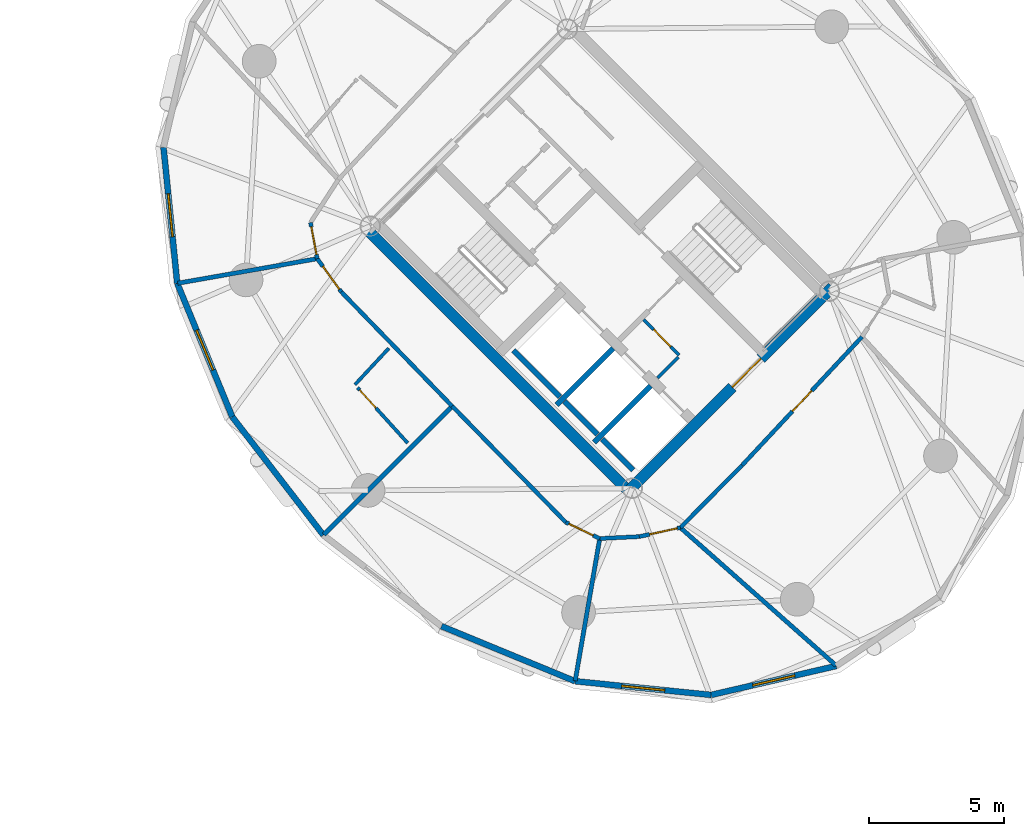
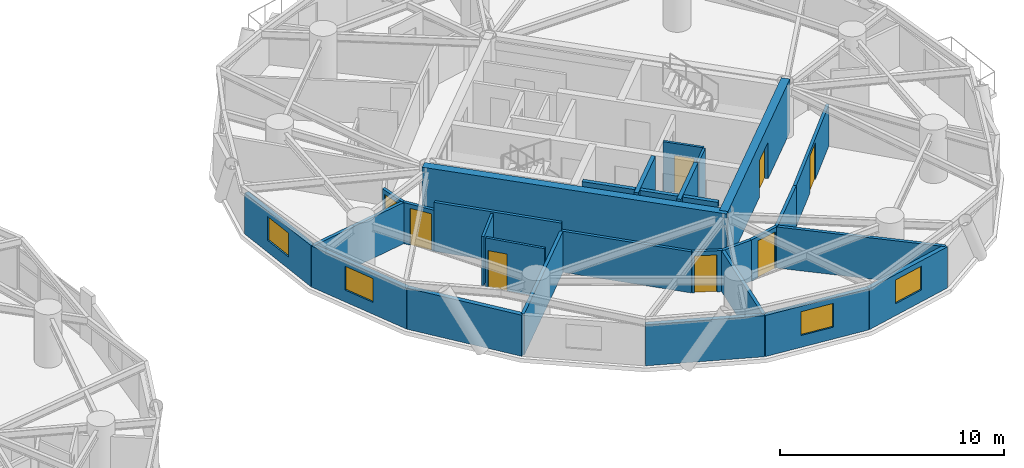
# One storey, part 11 of 17: 30 walls, 8 doors, 4 windows, 12 openings.
"""IFC4 building model written with IfcOpenShell, lengths in metres."""

from ifc_helpers import new_model, si_unit, direction, frame, frame_2d, origin, place, context, subcontext, project, spatial, rectangle, extrude, source, transform, mapped, material, layer, layer_set, type_object, element, fill, save


model = new_model("IFC4")

# Units and contexts
model_context = context("Model", 3, precision=1e-05, world=origin(), true_north=direction((0.0, 1.0)))
body_context = subcontext(model_context, "Body", "Model", "MODEL_VIEW")
ifc_project = project(units=[si_unit("LENGTHUNIT", "METRE"), si_unit("AREAUNIT", "SQUARE_METRE"), si_unit("VOLUMEUNIT", "CUBIC_METRE"), si_unit("PLANEANGLEUNIT", "RADIAN"), si_unit("MASSUNIT", "GRAM", prefix="KILO")], contexts=[model_context])

# Site, building, storey
site_placement = place(None, origin())
site = spatial("IfcSite", under=ifc_project, at=site_placement, CompositionType="ELEMENT")
building_placement = place(site_placement, origin())
building = spatial("IfcBuilding", under=site, at=building_placement, Name="Cununo Teusaquillo Station Towers", CompositionType="ELEMENT")
storey_placement = place(building_placement, frame((0.0, 0.0, 154.510009765625)))
storey = spatial("IfcBuildingStorey", under=building, at=storey_placement, Name="L48", CompositionType="ELEMENT", Elevation=154.510009765625)

# Walls
ifc_material_1 = material(Name="Concrete C50/60", Category="concrete")
ifc_layer_1 = layer(ifc_material_1, 0.199951171875)
ifc_layer_set_1 = layer_set([ifc_layer_1], Name="Concrete C50/60")
wall_type_1 = type_object("IfcWallType", Name="WL-CORE-200", PredefinedType="SHEAR", material=ifc_layer_set_1)
wall_1_placement = place(storey_placement, frame((55.8876953125, 19.0693359375, 0.0), z_axis=(0.0, 0.0, 1.0), x_axis=(0.707106781187, 0.707106781187, 0.0)))
element("IfcWall", 1, at=wall_1_placement, inside=storey, type_object=wall_type_1, Name="L48 Tower B Firefighting Lift Shaft South Shear Wall", PredefinedType="SHEAR", context=body_context, shape_type="SweptSolid", body=[
    extrude(rectangle(XDim=2.969970703125, YDim=0.199951171875, at=frame_2d((1.48486328125, 0.0))), origin(), (0.0, 0.0, 1.0), 2.909912109375),
])
wall_2_placement = place(storey_placement, frame((56.01513671875, 19.366455078125, 0.0), z_axis=(0.0, 0.0, 1.0), x_axis=(-0.707106781187, 0.707106781187, 0.0)))
element("IfcWall", 2, at=wall_2_placement, inside=storey, type_object=wall_type_1, Name="L48 Tower B Firefighting Lift Shaft Rear Shear Wall", PredefinedType="SHEAR", context=body_context, shape_type="SweptSolid", body=[
    extrude(rectangle(XDim=2.43994140625, YDim=0.199951171875, at=frame_2d((1.219970703125, 0.0))), origin(), (0.0, 0.0, 1.0), 2.909912109375),
])
wall_3_placement = place(storey_placement, frame((57.2841796875, 17.6728515625, 0.0), z_axis=(0.0, 0.0, 1.0), x_axis=(0.707147878904, 0.70706568108, 0.0)))
element("IfcWall", 3, at=wall_3_placement, inside=storey, type_object=wall_type_1, Name="L48 Tower B High-Rise Lift Hoistway Divider Shear Wall", PredefinedType="SHEAR", context=body_context, shape_type="SweptSolid", body=[
    extrude(rectangle(XDim=2.97021484375, YDim=0.199951171875, at=frame_2d((1.485107421875, 0.0))), origin(), (0.0, 0.0, 1.0), 2.909912109375),
])
wall_4_placement = place(storey_placement, frame((57.41162109375, 17.969970703125, 0.0), z_axis=(0.0, 0.0, 1.0), x_axis=(-0.707106781187, 0.707106781187, 0.0)))
element("IfcWall", 4, at=wall_4_placement, inside=storey, type_object=wall_type_1, Name="L48 Tower B High-Rise Lift 2 Shaft Rear Shear Wall", PredefinedType="SHEAR", context=body_context, shape_type="SweptSolid", body=[
    extrude(rectangle(XDim=1.73486328125, YDim=0.199951171875, at=frame_2d((0.867431640625, 0.0))), origin(), (0.0, 0.0, 1.0), 2.909912109375),
])
wall_5_placement = place(storey_placement, frame((58.7373046875, 16.64404296875, 0.0), z_axis=(0.0, 0.0, 1.0), x_axis=(-0.707032117043, 0.707181437447, 0.0)))
element("IfcWall", 5, at=wall_5_placement, inside=storey, type_object=wall_type_1, Name="L48 Tower B High-Rise Lift 1 Shaft Rear Shear Wall", PredefinedType="SHEAR", context=body_context, shape_type="SweptSolid", body=[
    extrude(rectangle(XDim=1.635009765625, YDim=0.199951171875, at=frame_2d((0.8173828125, 0.0))), origin(), (0.0, 0.0, 1.0), 2.909912109375),
])
ifc_material_2 = material(Name="Concrete C50/60", Category="concrete")
ifc_layer_2 = layer(ifc_material_2, 0.39990234375)
ifc_layer_set_2 = layer_set([ifc_layer_2], Name="Concrete C50/60")
wall_type_2 = type_object("IfcWallType", Name="WL-CORE-400", PredefinedType="SHEAR", material=ifc_layer_set_2)
wall_6_placement = place(storey_placement, frame((58.7021484375, 15.73193359375, 0.0), z_axis=(0.0, 0.0, 1.0), x_axis=(-0.707106781187, 0.707106781187, 0.0)))
element("IfcWall", 6, at=wall_6_placement, inside=storey, type_object=wall_type_2, Name="L48 Tower B Core Shear Wall W", PredefinedType="SHEAR", context=body_context, shape_type="SweptSolid", body=[
    extrude(rectangle(XDim=14.10009765625, YDim=0.39990234375, at=frame_2d((7.050048828125, 0.0))), origin(), (0.0, 0.0, 1.0), 2.909912109375),
])

# Wall, opening, door
wall_7_placement = place(storey_placement, frame((58.560791015625, 15.873291015625, 0.0), z_axis=(0.0, 0.0, 1.0), x_axis=(0.707106781187, 0.707106781187, 0.0)))
wall_7 = element("IfcWall", 7, at=wall_7_placement, inside=storey, type_object=wall_type_2, Name="L48 Tower B Core Shear Wall S", PredefinedType="SHEAR", context=body_context, shape_type="SweptSolid", body=[
    extrude(rectangle(XDim=10.69970703125, YDim=0.39990234375, at=frame_2d((5.349853515625, 0.0))), origin(), (0.0, 0.0, 1.0), 2.909912109375),
])
shared_shape_1 = source(origin(), body_context, "Body", "SweptSolid", [
    extrude(rectangle(XDim=1.5, YDim=2.02001953125, at=frame_2d((0.75, 1.010009765625))), frame((0.0, 0.2099609375, 0.0), z_axis=(0.0, -1.0, 0.0), x_axis=(1.0, 0.0, 0.0)), (0.0, 0.0, 1.0), 0.419921875),
])
opening_1_placement = place(wall_7_placement, frame((5.449951171875, 0.0, 0.0)))
opening_1 = element("IfcOpeningElement", 8, at=opening_1_placement, cuts=wall_7, Name="Opening D-LB1", PredefinedType="OPENING", context=body_context, shape_type="MappedRepresentation", body=[
    mapped(shared_shape_1, transform((0.0, 0.0, 0.0), x_axis=(1.0, 0.0, 0.0), y_axis=(0.0, 1.0, 0.0), z_axis=(0.0, 0.0, 1.0), scale=1.0)),
])
ifc_material_3 = material(Name="Galvanised fire-rated hollow steel door assembly", Category="steel")
door_type_1 = type_object("IfcDoorType", Name="DR-LOBBY-1500", OperationType="DOUBLE_DOOR_SINGLE_SWING", PredefinedType="DOOR", material=ifc_material_3)
shared_shape_2 = source(origin(), body_context, "Body", "SweptSolid", [
    extrude(rectangle(XDim=1.5, YDim=2.02001953125, at=frame_2d((0.75, 1.010009765625))), frame((0.0, 0.02490234375, 0.0), z_axis=(0.0, -1.0, 0.0), x_axis=(1.0, 0.0, 0.0)), (0.0, 0.0, 1.0), 0.050048828125),
])
door_1_placement = place(opening_1_placement, origin())
door_1 = element("IfcDoor", 9, at=door_1_placement, inside=storey, type_object=door_type_1, Name="L48 Tower B South Core Lift Lobby Door", OperationType="DOUBLE_DOOR_SINGLE_SWING", OverallHeight=2.02001953125, OverallWidth=1.5, PredefinedType="DOOR", context=body_context, shape_type="MappedRepresentation", body=[
    mapped(shared_shape_2, transform((0.0, 0.0, 0.0), x_axis=(1.0, 0.0, 0.0), y_axis=(0.0, 1.0, 0.0), z_axis=(0.0, 0.0, 1.0), scale=1.0)),
])
fill(opening_1, door_1)

# Wall, opening, window
ifc_material_4 = material(Name="Precast concrete C40/50", Category="concrete")
ifc_layer_3 = layer(ifc_material_4, 0.219970703125)
ifc_layer_set_3 = layer_set([ifc_layer_3], Name="Precast concrete C40/50")
wall_type_3 = type_object("IfcWallType", Name="WL-EXT-220", PredefinedType="SOLIDWALL", material=ifc_layer_set_3)
wall_8_placement = place(storey_placement, frame((41.810791015625, 23.582275390625, 0.0), z_axis=(0.0, 0.0, 1.0), x_axis=(-0.100279889424, 0.994959267396, 0.0)))
wall_8 = element("IfcWall", 10, at=wall_8_placement, inside=storey, type_object=wall_type_3, Name="L48 Tower B Exterior Facade Wall C07", PredefinedType="SOLIDWALL", context=body_context, shape_type="SweptSolid", body=[
    extrude(rectangle(XDim=5.076171875, YDim=0.219970703125, at=frame_2d((2.5380859375, 0.0))), origin(), (0.0, 0.0, 1.0), 2.244873046875),
])
shared_shape_3 = source(origin(), body_context, "Body", "SweptSolid", [
    extrude(rectangle(XDim=1.60009765625, YDim=1.300048828125, at=frame_2d((0.800048828125, 0.64990234375))), frame((0.0, 0.119873046875, 0.0), z_axis=(0.0, -1.0, 0.0), x_axis=(1.0, 0.0, 0.0)), (0.0, 0.0, 1.0), 0.239990234375),
])
opening_2_placement = place(wall_8_placement, frame((1.738037109375, 0.0, 0.64990234375)))
opening_2 = element("IfcOpeningElement", 11, at=opening_2_placement, cuts=wall_8, Name="Opening WN-03", PredefinedType="OPENING", context=body_context, shape_type="MappedRepresentation", body=[
    mapped(shared_shape_3, transform((0.0, 0.0, 0.0), x_axis=(1.0, 0.0, 0.0), y_axis=(0.0, 1.0, 0.0), z_axis=(0.0, 0.0, 1.0), scale=1.0)),
])
ifc_material_5 = material(Name="Ceramic-fritted dark low-E double glazing", Category="glass")
window_type = type_object("IfcWindowType", Name="WIN-CORN-1600", PartitioningType="SINGLE_PANEL", PredefinedType="WINDOW", material=ifc_material_5)
shared_shape_4 = source(origin(), body_context, "Body", "SweptSolid", [
    extrude(rectangle(XDim=1.60009765625, YDim=1.300048828125, at=frame_2d((0.800048828125, 0.64990234375))), frame((0.0, 0.030029296875, 0.0), z_axis=(0.0, -1.0, 0.0), x_axis=(1.0, 0.0, 0.0)), (0.0, 0.0, 1.0), 0.06005859375),
])
window_1_placement = place(opening_2_placement, origin())
window_1 = element("IfcWindow", 12, at=window_1_placement, inside=storey, type_object=window_type, Name="L48 Tower B Facade Window C07", OverallHeight=1.300048828125, OverallWidth=1.60009765625, PartitioningType="SINGLE_PANEL", PredefinedType="WINDOW", context=body_context, shape_type="MappedRepresentation", body=[
    mapped(shared_shape_4, transform((0.0, 0.0, 0.0), x_axis=(1.0, 0.0, 0.0), y_axis=(0.0, 1.0, 0.0), z_axis=(0.0, 0.0, 1.0), scale=1.0)),
])
fill(opening_2, window_1)

wall_9_placement = place(storey_placement, frame((43.855712890625, 18.62158203125, 0.0), z_axis=(0.0, 0.0, 1.0), x_axis=(-0.38111364655, 0.924528197738, 0.0)))
wall_9 = element("IfcWall", 13, at=wall_9_placement, inside=storey, type_object=wall_type_3, Name="L48 Tower B Exterior Facade Wall C08", PredefinedType="SOLIDWALL", context=body_context, shape_type="SweptSolid", body=[
    extrude(rectangle(XDim=5.36572265625, YDim=0.219970703125, at=frame_2d((2.682861328125, 0.0))), origin(), (0.0, 0.0, 1.0), 2.244873046875),
])
opening_3_placement = place(wall_9_placement, frame((1.883056640625, 0.0, 0.64990234375)))
opening_3 = element("IfcOpeningElement", 14, at=opening_3_placement, cuts=wall_9, Name="Opening WN-03", PredefinedType="OPENING", context=body_context, shape_type="MappedRepresentation", body=[
    mapped(shared_shape_3, transform((0.0, 0.0, 0.0), x_axis=(1.0, 0.0, 0.0), y_axis=(0.0, 1.0, 0.0), z_axis=(0.0, 0.0, 1.0), scale=1.0)),
])
window_2_placement = place(opening_3_placement, origin())
window_2 = element("IfcWindow", 15, at=window_2_placement, inside=storey, type_object=window_type, Name="L48 Tower B Facade Window C08", OverallHeight=1.300048828125, OverallWidth=1.60009765625, PartitioningType="SINGLE_PANEL", PredefinedType="WINDOW", context=body_context, shape_type="MappedRepresentation", body=[
    mapped(shared_shape_4, transform((0.0, 0.0, 0.0), x_axis=(1.0, 0.0, 0.0), y_axis=(0.0, 1.0, 0.0), z_axis=(0.0, 0.0, 1.0), scale=1.0)),
])
fill(opening_3, window_2)

# Walls
wall_10_placement = place(storey_placement, frame((47.236328125, 14.236328125, 0.0), z_axis=(0.0, 0.0, 1.0), x_axis=(-0.610543584779, 0.791982658323, 0.0)))
element("IfcWall", 16, at=wall_10_placement, inside=storey, type_object=wall_type_3, Name="L48 Tower B Exterior Facade Wall C09", PredefinedType="SOLIDWALL", context=body_context, shape_type="SweptSolid", body=[
    extrude(rectangle(XDim=5.537109375, YDim=0.219970703125, at=frame_2d((2.7685546875, 0.0))), origin(), (0.0, 0.0, 1.0), 2.244873046875),
])
wall_11_placement = place(storey_placement, frame((56.582275390625, 8.810791015625, 0.0), z_axis=(0.0, 0.0, 1.0), x_axis=(-0.924528197738, 0.38111364655, 0.0)))
element("IfcWall", 17, at=wall_11_placement, inside=storey, type_object=wall_type_3, Name="L48 Tower B Exterior Facade Wall C11", PredefinedType="SOLIDWALL", context=body_context, shape_type="SweptSolid", body=[
    extrude(rectangle(XDim=5.36572265625, YDim=0.219970703125, at=frame_2d((2.682861328125, 0.0))), origin(), (0.0, 0.0, 1.0), 2.244873046875),
])

# Wall, opening, window
wall_12_placement = place(storey_placement, frame((61.6328125, 8.3017578125, 0.0), z_axis=(0.0, 0.0, 1.0), x_axis=(-0.994959267396, 0.100279889424, 0.0)))
wall_12 = element("IfcWall", 18, at=wall_12_placement, inside=storey, type_object=wall_type_3, Name="L48 Tower B Exterior Facade Wall C12", PredefinedType="SOLIDWALL", context=body_context, shape_type="SweptSolid", body=[
    extrude(rectangle(XDim=5.076171875, YDim=0.219970703125, at=frame_2d((2.5380859375, 0.0))), origin(), (0.0, 0.0, 1.0), 2.244873046875),
])
opening_4_placement = place(wall_12_placement, frame((1.738037109375, 0.0, 0.64990234375)))
opening_4 = element("IfcOpeningElement", 19, at=opening_4_placement, cuts=wall_12, Name="Opening WN-03", PredefinedType="OPENING", context=body_context, shape_type="MappedRepresentation", body=[
    mapped(shared_shape_3, transform((0.0, 0.0, 0.0), x_axis=(1.0, 0.0, 0.0), y_axis=(0.0, 1.0, 0.0), z_axis=(0.0, 0.0, 1.0), scale=1.0)),
])
window_3_placement = place(opening_4_placement, origin())
window_3 = element("IfcWindow", 20, at=window_3_placement, inside=storey, type_object=window_type, Name="L48 Tower B Facade Window C12", OverallHeight=1.300048828125, OverallWidth=1.60009765625, PartitioningType="SINGLE_PANEL", PredefinedType="WINDOW", context=body_context, shape_type="MappedRepresentation", body=[
    mapped(shared_shape_4, transform((0.0, 0.0, 0.0), x_axis=(1.0, 0.0, 0.0), y_axis=(0.0, 1.0, 0.0), z_axis=(0.0, 0.0, 1.0), scale=1.0)),
])
fill(opening_4, window_3)

wall_13_placement = place(storey_placement, frame((66.27880859375, 9.3779296875, 0.0), z_axis=(0.0, 0.0, 1.0), x_axis=(-0.974206226622, -0.225659540039, 0.0)))
wall_13 = element("IfcWall", 21, at=wall_13_placement, inside=storey, type_object=wall_type_3, Name="L48 Tower B Exterior Facade Wall C13", PredefinedType="SOLIDWALL", context=body_context, shape_type="SweptSolid", body=[
    extrude(rectangle(XDim=4.76904296875, YDim=0.219970703125, at=frame_2d((2.384521484375, 0.0))), origin(), (0.0, 0.0, 1.0), 2.244873046875),
])
opening_5_placement = place(wall_13_placement, frame((1.5849609375, 0.0, 0.64990234375)))
opening_5 = element("IfcOpeningElement", 22, at=opening_5_placement, cuts=wall_13, Name="Opening WN-03", PredefinedType="OPENING", context=body_context, shape_type="MappedRepresentation", body=[
    mapped(shared_shape_3, transform((0.0, 0.0, 0.0), x_axis=(1.0, 0.0, 0.0), y_axis=(0.0, 1.0, 0.0), z_axis=(0.0, 0.0, 1.0), scale=1.0)),
])
window_4_placement = place(opening_5_placement, origin())
window_4 = element("IfcWindow", 23, at=window_4_placement, inside=storey, type_object=window_type, Name="L48 Tower B Facade Window C13", OverallHeight=1.300048828125, OverallWidth=1.60009765625, PartitioningType="SINGLE_PANEL", PredefinedType="WINDOW", context=body_context, shape_type="MappedRepresentation", body=[
    mapped(shared_shape_4, transform((0.0, 0.0, 0.0), x_axis=(1.0, 0.0, 0.0), y_axis=(0.0, 1.0, 0.0), z_axis=(0.0, 0.0, 1.0), scale=1.0)),
])
fill(opening_5, window_4)

# Wall, opening, door
ifc_material_6 = material(Name="Fire-rated gypsum plasterboard partition assembly", Category="gypsum")
ifc_layer_4 = layer(ifc_material_6, 0.125)
ifc_layer_set_4 = layer_set([ifc_layer_4], Name="Fire-rated gypsum plasterboard partition assembly")
wall_type_4 = type_object("IfcWallType", Name="WL-PART-125", PredefinedType="PARTITIONING", material=ifc_layer_set_4)
wall_14_placement = place(storey_placement, frame((60.448486328125, 20.9150390625, 0.0), z_axis=(0.0, 0.0, 1.0), x_axis=(-0.707106781187, 0.707106781187, 0.0)))
wall_14 = element("IfcWall", 24, at=wall_14_placement, inside=storey, type_object=wall_type_4, Name="L48 Tower B North-West Lobby Store East Wall", PredefinedType="PARTITIONING", context=body_context, shape_type="SweptSolid", body=[
    extrude(rectangle(XDim=1.869873046875, YDim=0.125, at=frame_2d((0.93505859375, 0.0))), origin(), (0.0, 0.0, 1.0), 2.675048828125),
])
shared_shape_5 = source(origin(), body_context, "Body", "SweptSolid", [
    extrude(rectangle(XDim=0.89990234375, YDim=2.0048828125, at=frame_2d((0.449951171875, 1.00244140625))), frame((0.0, 0.072509765625, 0.0), z_axis=(0.0, -1.0, 0.0), x_axis=(1.0, 0.0, 0.0)), (0.0, 0.0, 1.0), 0.14501953125),
])
opening_6_placement = place(wall_14_placement, frame((0.449951171875, 0.0, 0.0)))
opening_6 = element("IfcOpeningElement", 25, at=opening_6_placement, cuts=wall_14, Name="Opening D-SR1", PredefinedType="OPENING", context=body_context, shape_type="MappedRepresentation", body=[
    mapped(shared_shape_5, transform((0.0, 0.0, 0.0), x_axis=(1.0, 0.0, 0.0), y_axis=(0.0, 1.0, 0.0), z_axis=(0.0, 0.0, 1.0), scale=1.0)),
])
ifc_material_7 = material(Name="Galvanised fire-rated hollow steel door assembly", Category="steel")
door_type_2 = type_object("IfcDoorType", Name="DR-STORE-900", OperationType="NOTDEFINED", PredefinedType="DOOR", material=ifc_material_7)
shared_shape_6 = source(origin(), body_context, "Body", "SweptSolid", [
    extrude(rectangle(XDim=0.89990234375, YDim=2.0048828125, at=frame_2d((0.449951171875, 1.00244140625))), frame((0.0, 0.02490234375, 0.0), z_axis=(0.0, -1.0, 0.0), x_axis=(1.0, 0.0, 0.0)), (0.0, 0.0, 1.0), 0.050048828125),
])
door_2_placement = place(opening_6_placement, origin())
door_2 = element("IfcDoor", 26, at=door_2_placement, inside=storey, type_object=door_type_2, Name="L48 Tower B South Lobby Data Store Door", OperationType="SINGLE_SWING_RIGHT", OverallHeight=2.0048828125, OverallWidth=0.89990234375, PredefinedType="DOOR", context=body_context, shape_type="MappedRepresentation", body=[
    mapped(shared_shape_6, transform((0.0, 0.0, 0.0), x_axis=(1.0, 0.0, 0.0), y_axis=(0.0, 1.0, 0.0), z_axis=(0.0, 0.0, 1.0), scale=1.0)),
])
fill(opening_6, door_2)

# Walls
wall_15_placement = place(storey_placement, frame((59.642578125, 20.06640625, 0.0), z_axis=(0.0, 0.0, 1.0), x_axis=(0.707106781187, 0.707106781187, 0.0)))
element("IfcWall", 27, at=wall_15_placement, inside=storey, type_object=wall_type_4, Name="L48 Tower B North-West Lobby Store South Wall", PredefinedType="PARTITIONING", context=body_context, shape_type="SweptSolid", body=[
    extrude(rectangle(XDim=1.10009765625, YDim=0.125, at=frame_2d((0.550048828125, 0.0))), origin(), (0.0, 0.0, 1.0), 2.675048828125),
])
wall_16_placement = place(storey_placement, frame((49.664794921875, 21.17138671875, 0.0), z_axis=(0.0, 0.0, 1.0), x_axis=(-0.681089123144, -0.73220052331, 0.0)))
element("IfcWall", 28, at=wall_16_placement, inside=storey, type_object=wall_type_4, Name="L48 Tower B S04 En-suite Side Wall", PredefinedType="PARTITIONING", context=body_context, shape_type="SweptSolid", body=[
    extrude(rectangle(XDim=1.8486328125, YDim=0.125, at=frame_2d((0.92431640625, 0.0))), origin(), (0.0, 0.0, 1.0), 2.675048828125),
])

# Wall, opening, door
wall_17_placement = place(storey_placement, frame((48.502685546875, 19.710693359375, 0.0), z_axis=(0.0, 0.0, 1.0), x_axis=(0.671201050003, -0.741275354018, 0.0)))
wall_17 = element("IfcWall", 29, at=wall_17_placement, inside=storey, type_object=wall_type_4, Name="L48 Tower B S04 En-suite Back Wall", PredefinedType="PARTITIONING", context=body_context, shape_type="SweptSolid", body=[
    extrude(rectangle(XDim=2.77685546875, YDim=0.125, at=frame_2d((1.388427734375, 0.0))), origin(), (0.0, 0.0, 1.0), 2.675048828125),
])
opening_7_placement = place(wall_17_placement, frame((0.1201171875, 0.0, 0.0)))
opening_7 = element("IfcOpeningElement", 30, at=opening_7_placement, cuts=wall_17, Name="Opening D-IN1", PredefinedType="OPENING", context=body_context, shape_type="MappedRepresentation", body=[
    mapped(shared_shape_5, transform((0.0, 0.0, 0.0), x_axis=(1.0, 0.0, 0.0), y_axis=(0.0, 1.0, 0.0), z_axis=(0.0, 0.0, 1.0), scale=1.0)),
])
ifc_material_8 = material(Name="Acoustic solid-core hardwood leaf assembly", Category="wood")
door_type_3 = type_object("IfcDoorType", Name="DR-INT-900", OperationType="NOTDEFINED", PredefinedType="DOOR", material=ifc_material_8)
door_3_placement = place(opening_7_placement, origin())
door_3 = element("IfcDoor", 31, at=door_3_placement, inside=storey, type_object=door_type_3, Name="L48 Tower B S04 En-suite Bathroom Door", OperationType="SINGLE_SWING_RIGHT", OverallHeight=2.0048828125, OverallWidth=0.89990234375, PredefinedType="DOOR", context=body_context, shape_type="MappedRepresentation", body=[
    mapped(shared_shape_6, transform((0.0, 0.0, 0.0), x_axis=(1.0, 0.0, 0.0), y_axis=(0.0, 1.0, 0.0), z_axis=(0.0, 0.0, 1.0), scale=1.0)),
])
fill(opening_7, door_3)

ifc_material_9 = material(Name="Fire-rated gypsum plasterboard partition assembly", Category="gypsum")
ifc_layer_5 = layer(ifc_material_9, 0.14990234375)
ifc_layer_set_5 = layer_set([ifc_layer_5], Name="Fire-rated gypsum plasterboard partition assembly")
wall_type_5 = type_object("IfcWallType", Name="WL-PART-150", PredefinedType="PARTITIONING", material=ifc_layer_set_5)
wall_18_placement = place(storey_placement, frame((46.76025390625, 25.83984375, 0.0), z_axis=(0.0, 0.0, 1.0), x_axis=(0.181230731673, -0.983440604153, 0.0)))
wall_18 = element("IfcWall", 32, at=wall_18_placement, inside=storey, type_object=wall_type_5, Name="L48 Tower B Corridor Ring Wall C07", PredefinedType="PARTITIONING", context=body_context, shape_type="SweptSolid", body=[
    extrude(rectangle(XDim=1.36474609375, YDim=0.14990234375, at=frame_2d((0.682373046875, 0.0))), origin(), (0.0, 0.0, 1.0), 2.244873046875),
])
shared_shape_7 = source(origin(), body_context, "Body", "SweptSolid", [
    extrude(rectangle(XDim=1.050048828125, YDim=2.014892578125, at=frame_2d((0.52490234375, 1.00732421875))), frame((0.0, 0.0849609375, 0.0), z_axis=(0.0, -1.0, 0.0), x_axis=(1.0, 0.0, 0.0)), (0.0, 0.0, 1.0), 0.169921875),
])
opening_8_placement = place(wall_18_placement, frame((0.1572265625, 0.0, 0.0)))
opening_8 = element("IfcOpeningElement", 33, at=opening_8_placement, cuts=wall_18, Name="Opening D-SU1", PredefinedType="OPENING", context=body_context, shape_type="MappedRepresentation", body=[
    mapped(shared_shape_7, transform((0.0, 0.0, 0.0), x_axis=(1.0, 0.0, 0.0), y_axis=(0.0, 1.0, 0.0), z_axis=(0.0, 0.0, 1.0), scale=1.0)),
])
ifc_material_10 = material(Name="Acoustic solid-core hardwood leaf assembly", Category="wood")
door_type_4 = type_object("IfcDoorType", Name="DR-SUITE-1050", OperationType="NOTDEFINED", PredefinedType="DOOR", material=ifc_material_10)
shared_shape_8 = source(origin(), body_context, "Body", "SweptSolid", [
    extrude(rectangle(XDim=1.050048828125, YDim=2.014892578125, at=frame_2d((0.52490234375, 1.00732421875))), frame((0.0, 0.02490234375, 0.0), z_axis=(0.0, -1.0, 0.0), x_axis=(1.0, 0.0, 0.0)), (0.0, 0.0, 1.0), 0.050048828125),
])
door_4_placement = place(opening_8_placement, origin())
door_4 = element("IfcDoor", 34, at=door_4_placement, inside=storey, type_object=door_type_4, Name="L48 Tower B Sky Sommelier Lounge Entrance Door", OperationType="SINGLE_SWING_RIGHT", OverallHeight=2.014892578125, OverallWidth=1.050048828125, PredefinedType="DOOR", context=body_context, shape_type="MappedRepresentation", body=[
    mapped(shared_shape_8, transform((0.0, 0.0, 0.0), x_axis=(1.0, 0.0, 0.0), y_axis=(0.0, 1.0, 0.0), z_axis=(0.0, 0.0, 1.0), scale=1.0)),
])
fill(opening_8, door_4)

wall_19_placement = place(storey_placement, frame((47.007568359375, 24.497802734375, 0.0), z_axis=(0.0, 0.0, 1.0), x_axis=(0.586941299514, -0.809629489906, 0.0)))
wall_19 = element("IfcWall", 35, at=wall_19_placement, inside=storey, type_object=wall_type_5, Name="L48 Tower B Corridor Ring Wall C08", PredefinedType="PARTITIONING", context=body_context, shape_type="SweptSolid", body=[
    extrude(rectangle(XDim=1.522705078125, YDim=0.14990234375, at=frame_2d((0.76123046875, 0.0))), origin(), (0.0, 0.0, 1.0), 2.244873046875),
])
opening_9_placement = place(wall_19_placement, frame((0.352783203125, 0.0, 0.0)))
opening_9 = element("IfcOpeningElement", 36, at=opening_9_placement, cuts=wall_19, Name="Opening D-SU1", PredefinedType="OPENING", context=body_context, shape_type="MappedRepresentation", body=[
    mapped(shared_shape_7, transform((0.0, 0.0, 0.0), x_axis=(1.0, 0.0, 0.0), y_axis=(0.0, 1.0, 0.0), z_axis=(0.0, 0.0, 1.0), scale=1.0)),
])
door_5_placement = place(opening_9_placement, origin())
door_5 = element("IfcDoor", 37, at=door_5_placement, inside=storey, type_object=door_type_4, Name="L48 Tower B Andean Crest Hotel Suite Entrance Door", OperationType="SINGLE_SWING_LEFT", OverallHeight=2.014892578125, OverallWidth=1.050048828125, PredefinedType="DOOR", context=body_context, shape_type="MappedRepresentation", body=[
    mapped(shared_shape_8, transform((0.0, 0.0, 0.0), x_axis=(1.0, 0.0, 0.0), y_axis=(0.0, 1.0, 0.0), z_axis=(0.0, 0.0, 1.0), scale=1.0)),
])
fill(opening_9, door_5)

# Walls
wall_20_placement = place(storey_placement, frame((47.9013671875, 23.264892578125, 0.0), z_axis=(0.0, 0.0, 1.0), x_axis=(0.696355965374, -0.717696572019, 0.0)))
element("IfcWall", 38, at=wall_20_placement, inside=storey, type_object=wall_type_5, Name="L48 Tower B Corridor Ring Wall C09", PredefinedType="PARTITIONING", context=body_context, shape_type="SweptSolid", body=[
    extrude(rectangle(XDim=5.91455078125, YDim=0.14990234375, at=frame_2d((2.957275390625, 0.0))), origin(), (0.0, 0.0, 1.0), 2.675048828125),
])
wall_21_placement = place(storey_placement, frame((52.02001953125, 19.02001953125, 0.0), z_axis=(0.0, 0.0, 1.0), x_axis=(0.699456449804, -0.71467522332, 0.0)))
element("IfcWall", 39, at=wall_21_placement, inside=storey, type_object=wall_type_5, Name="L48 Tower B Corridor Ring Wall C10", PredefinedType="PARTITIONING", context=body_context, shape_type="SweptSolid", body=[
    extrude(rectangle(XDim=6.03173828125, YDim=0.14990234375, at=frame_2d((3.015869140625, 0.0))), origin(), (0.0, 0.0, 1.0), 2.244873046875),
])

# Wall, opening, door
wall_22_placement = place(storey_placement, frame((56.239013671875, 14.709228515625, 0.0), z_axis=(0.0, 0.0, 1.0), x_axis=(0.902374219125, -0.430953325383, 0.0)))
wall_22 = element("IfcWall", 40, at=wall_22_placement, inside=storey, type_object=wall_type_5, Name="L48 Tower B Corridor Ring Wall C11", PredefinedType="PARTITIONING", context=body_context, shape_type="SweptSolid", body=[
    extrude(rectangle(XDim=1.3935546875, YDim=0.14990234375, at=frame_2d((0.69677734375, 0.0))), origin(), (0.0, 0.0, 1.0), 2.244873046875),
])
shared_shape_9 = source(origin(), body_context, "Body", "SweptSolid", [
    extrude(rectangle(XDim=1.0, YDim=2.014892578125, at=frame_2d((0.5, 1.00732421875))), frame((0.0, 0.0849609375, 0.0), z_axis=(0.0, -1.0, 0.0), x_axis=(1.0, 0.0, 0.0)), (0.0, 0.0, 1.0), 0.169921875),
])
opening_10_placement = place(wall_22_placement, frame((0.1201171875, 0.0, 0.0)))
opening_10 = element("IfcOpeningElement", 41, at=opening_10_placement, cuts=wall_22, Name="Opening D-AC1", PredefinedType="OPENING", context=body_context, shape_type="MappedRepresentation", body=[
    mapped(shared_shape_9, transform((0.0, 0.0, 0.0), x_axis=(1.0, 0.0, 0.0), y_axis=(0.0, 1.0, 0.0), z_axis=(0.0, 0.0, 1.0), scale=1.0)),
])
ifc_material_11 = material(Name="Acoustic solid-core hardwood leaf assembly", Category="wood")
door_type_5 = type_object("IfcDoorType", Name="DR-ACC-1000", OperationType="NOTDEFINED", PredefinedType="DOOR", material=ifc_material_11)
shared_shape_10 = source(origin(), body_context, "Body", "SweptSolid", [
    extrude(rectangle(XDim=1.0, YDim=2.014892578125, at=frame_2d((0.5, 1.00732421875))), frame((0.0, 0.02490234375, 0.0), z_axis=(0.0, -1.0, 0.0), x_axis=(1.0, 0.0, 0.0)), (0.0, 0.0, 1.0), 0.050048828125),
])
door_6_placement = place(opening_10_placement, origin())
door_6 = element("IfcDoor", 42, at=door_6_placement, inside=storey, type_object=door_type_5, Name="L48 Tower B Public Accessible Restroom WC Entrance Door", OperationType="SINGLE_SWING_LEFT", OverallHeight=2.014892578125, OverallWidth=1.0, PredefinedType="DOOR", context=body_context, shape_type="MappedRepresentation", body=[
    mapped(shared_shape_10, transform((0.0, 0.0, 0.0), x_axis=(1.0, 0.0, 0.0), y_axis=(0.0, 1.0, 0.0), z_axis=(0.0, 0.0, 1.0), scale=1.0)),
])
fill(opening_10, door_6)

# Wall
wall_23_placement = place(storey_placement, frame((57.49658203125, 14.108642578125, 0.0), z_axis=(0.0, 0.0, 1.0), x_axis=(0.998828286318, 0.048394777109, 0.0)))
element("IfcWall", 43, at=wall_23_placement, inside=storey, type_object=wall_type_5, Name="L48 Tower B Corridor Ring Wall C12", PredefinedType="PARTITIONING", context=body_context, shape_type="SweptSolid", body=[
    extrude(rectangle(XDim=1.468017578125, YDim=0.14990234375, at=frame_2d((0.73388671875, 0.0))), origin(), (0.0, 0.0, 1.0), 2.244873046875),
])

# Wall, opening, door
wall_24_placement = place(storey_placement, frame((58.962890625, 14.1796875, 0.0), z_axis=(0.0, 0.0, 1.0), x_axis=(0.976826524015, 0.214032572243, 0.0)))
wall_24 = element("IfcWall", 44, at=wall_24_placement, inside=storey, type_object=wall_type_5, Name="L48 Tower B Corridor Ring Wall C13", PredefinedType="PARTITIONING", context=body_context, shape_type="SweptSolid", body=[
    extrude(rectangle(XDim=1.5615234375, YDim=0.14990234375, at=frame_2d((0.78076171875, 0.0))), origin(), (0.0, 0.0, 1.0), 2.244873046875),
])
opening_11_placement = place(wall_24_placement, frame((0.3916015625, 0.0, 0.0)))
opening_11 = element("IfcOpeningElement", 45, at=opening_11_placement, cuts=wall_24, Name="Opening D-SU1", PredefinedType="OPENING", context=body_context, shape_type="MappedRepresentation", body=[
    mapped(shared_shape_7, transform((0.0, 0.0, 0.0), x_axis=(1.0, 0.0, 0.0), y_axis=(0.0, 1.0, 0.0), z_axis=(0.0, 0.0, 1.0), scale=1.0)),
])
door_7_placement = place(opening_11_placement, origin())
door_7 = element("IfcDoor", 46, at=door_7_placement, inside=storey, type_object=door_type_4, Name="L48 Tower B High-Altitude Tea Salon Entrance Door", OperationType="SINGLE_SWING_RIGHT", OverallHeight=2.014892578125, OverallWidth=1.050048828125, PredefinedType="DOOR", context=body_context, shape_type="MappedRepresentation", body=[
    mapped(shared_shape_8, transform((0.0, 0.0, 0.0), x_axis=(1.0, 0.0, 0.0), y_axis=(0.0, 1.0, 0.0), z_axis=(0.0, 0.0, 1.0), scale=1.0)),
])
fill(opening_11, door_7)

# Wall
wall_25_placement = place(storey_placement, frame((60.48828125, 14.513916015625, 0.0), z_axis=(0.0, 0.0, 1.0), x_axis=(0.703880260405, 0.71031864611, 0.0)))
element("IfcWall", 47, at=wall_25_placement, inside=storey, type_object=wall_type_5, Name="L48 Tower B Corridor Ring Wall C14", PredefinedType="PARTITIONING", context=body_context, shape_type="SweptSolid", body=[
    extrude(rectangle(XDim=3.260986328125, YDim=0.14990234375, at=frame_2d((1.63037109375, 0.0))), origin(), (0.0, 0.0, 1.0), 2.244873046875),
])

# Wall, opening, door
wall_26_placement = place(storey_placement, frame((62.78369140625, 16.830322265625, 0.0), z_axis=(0.0, 0.0, 1.0), x_axis=(0.682240832942, 0.731127516831, 0.0)))
wall_26 = element("IfcWall", 48, at=wall_26_placement, inside=storey, type_object=wall_type_5, Name="L48 Tower B Corridor Ring Wall C15", PredefinedType="PARTITIONING", context=body_context, shape_type="SweptSolid", body=[
    extrude(rectangle(XDim=6.51708984375, YDim=0.14990234375, at=frame_2d((3.258544921875, 0.0))), origin(), (0.0, 0.0, 1.0), 2.244873046875),
])
opening_12_placement = place(wall_26_placement, frame((2.733642578125, 0.0, 0.0)))
opening_12 = element("IfcOpeningElement", 49, at=opening_12_placement, cuts=wall_26, Name="Opening D-SU1", PredefinedType="OPENING", context=body_context, shape_type="MappedRepresentation", body=[
    mapped(shared_shape_7, transform((0.0, 0.0, 0.0), x_axis=(1.0, 0.0, 0.0), y_axis=(0.0, 1.0, 0.0), z_axis=(0.0, 0.0, 1.0), scale=1.0)),
])
door_8_placement = place(opening_12_placement, origin())
door_8 = element("IfcDoor", 50, at=door_8_placement, inside=storey, type_object=door_type_4, Name="L48 Tower B Hotel Housekeeping & Linen Pantry Entrance Door", OperationType="SINGLE_SWING_LEFT", OverallHeight=2.014892578125, OverallWidth=1.050048828125, PredefinedType="DOOR", context=body_context, shape_type="MappedRepresentation", body=[
    mapped(shared_shape_8, transform((0.0, 0.0, 0.0), x_axis=(1.0, 0.0, 0.0), y_axis=(0.0, 1.0, 0.0), z_axis=(0.0, 0.0, 1.0), scale=1.0)),
])
fill(opening_12, door_8)

# Walls
ifc_material_12 = material(Name="Fire-rated gypsum plasterboard partition assembly", Category="gypsum")
ifc_layer_6 = layer(ifc_material_12, 0.159912109375)
ifc_layer_set_6 = layer_set([ifc_layer_6], Name="Fire-rated gypsum plasterboard partition assembly")
wall_type_6 = type_object("IfcWallType", Name="WL-PART-160", PredefinedType="PARTITIONING", material=ifc_layer_set_6)
wall_27_placement = place(storey_placement, frame((47.007568359375, 24.497802734375, 0.0), z_axis=(0.0, 0.0, 1.0), x_axis=(-0.984823741496, -0.173557478046, 0.0)))
element("IfcWall", 51, at=wall_27_placement, inside=storey, type_object=wall_type_6, Name="L48 Tower B Radial Suite Partition R04", PredefinedType="PARTITIONING", context=body_context, shape_type="SweptSolid", body=[
    extrude(rectangle(XDim=5.2568359375, YDim=0.159912109375, at=frame_2d((2.62841796875, 0.0))), origin(), (0.0, 0.0, 1.0), 2.244873046875),
])
wall_28_placement = place(storey_placement, frame((52.02001953125, 19.02001953125, 0.0), z_axis=(0.0, 0.0, 1.0), x_axis=(-0.707106781187, -0.707106781187, 0.0)))
element("IfcWall", 52, at=wall_28_placement, inside=storey, type_object=wall_type_6, Name="L48 Tower B Radial Suite Partition R05", PredefinedType="PARTITIONING", context=body_context, shape_type="SweptSolid", body=[
    extrude(rectangle(XDim=6.7451171875, YDim=0.159912109375, at=frame_2d((3.37255859375, 0.0))), origin(), (0.0, 0.0, 1.0), 2.244873046875),
])
wall_29_placement = place(storey_placement, frame((57.49658203125, 14.108642578125, 0.0), z_axis=(0.0, 0.0, 1.0), x_axis=(-0.170109923992, -0.985425092922, 0.0)))
element("IfcWall", 53, at=wall_29_placement, inside=storey, type_object=wall_type_6, Name="L48 Tower B Radial Suite Partition R06", PredefinedType="PARTITIONING", context=body_context, shape_type="SweptSolid", body=[
    extrude(rectangle(XDim=5.356201171875, YDim=0.159912109375, at=frame_2d((2.67822265625, 0.0))), origin(), (0.0, 0.0, 1.0), 2.244873046875),
])
wall_30_placement = place(storey_placement, frame((60.48828125, 14.513916015625, 0.0), z_axis=(0.0, 0.0, 1.0), x_axis=(0.748740614849, -0.662863101761, 0.0)))
element("IfcWall", 54, at=wall_30_placement, inside=storey, type_object=wall_type_6, Name="L48 Tower B Radial Suite Partition R07", PredefinedType="PARTITIONING", context=body_context, shape_type="SweptSolid", body=[
    extrude(rectangle(XDim=7.72119140625, YDim=0.159912109375, at=frame_2d((3.860595703125, 0.0))), origin(), (0.0, 0.0, 1.0), 2.244873046875),
])

save(model, "model.ifc")
